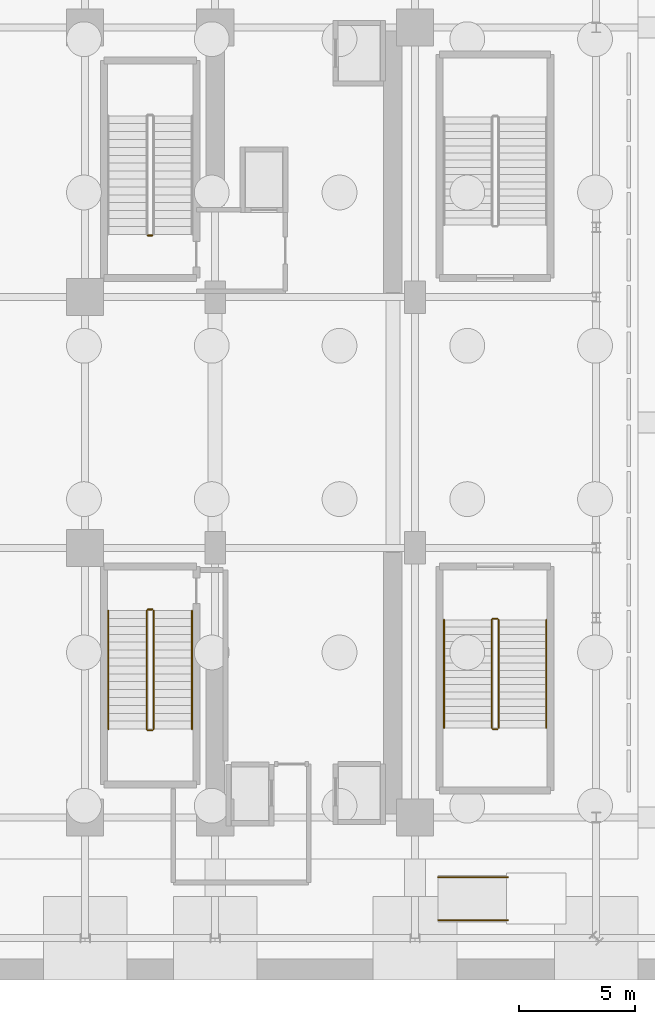
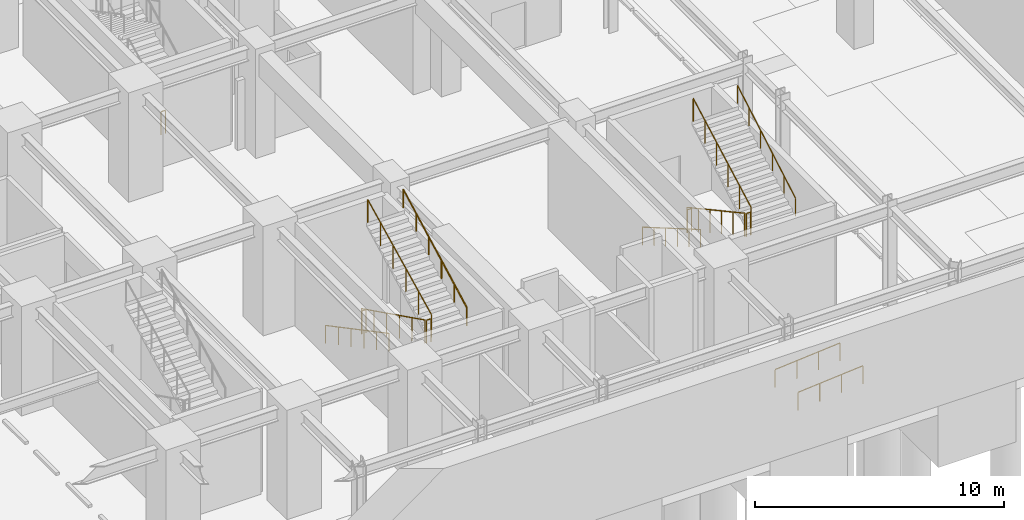
# One storey, part 11 of 14: 15 railings.
"""IFC4 building model written with IfcOpenShell, lengths in metres."""

from ifc_helpers import new_model, si_unit, direction, frame, origin, origin_2d, place, context, subcontext, project, spatial, circle, extrude, material, type_object, element, save


model = new_model("IFC4")

# Units and contexts
model_context = context("Model", 3, precision=1e-05, world=origin(), true_north=direction((0.0, 1.0)))
body_context = subcontext(model_context, "Body", "Model", "MODEL_VIEW")
ifc_project = project(units=[si_unit("LENGTHUNIT", "METRE"), si_unit("AREAUNIT", "SQUARE_METRE"), si_unit("VOLUMEUNIT", "CUBIC_METRE"), si_unit("PLANEANGLEUNIT", "RADIAN"), si_unit("MASSUNIT", "GRAM", prefix="KILO")], contexts=[model_context])

# Site, building, storey
site_placement = place(None, origin())
site = spatial("IfcSite", under=ifc_project, at=site_placement, CompositionType="ELEMENT")
building_placement = place(site_placement, origin())
building = spatial("IfcBuilding", under=site, at=building_placement, Name="Nahalor Promenade Grand Hotel", CompositionType="ELEMENT")
storey_placement = place(building_placement, frame((0.0, 0.0, -10.800048828125)))
storey = spatial("IfcBuildingStorey", under=building, at=storey_placement, Name="B02", CompositionType="ELEMENT", Elevation=-10.800048828125)

# Railings
ifc_material = material(Name="Steel S355JR", Category="steel")
railing_type_1 = type_object("IfcRailingType", Name="Steel Stair Guardrail 1150 mm", PredefinedType="GUARDRAIL", material=ifc_material)
railing_1_placement = place(storey_placement, frame((5.699951171875, 8.050048828125, 0.0)))
element("IfcRailing", 1, at=railing_1_placement, inside=storey, type_object=railing_type_1, Name="B02 ST1 stair guard 4", PredefinedType="GUARDRAIL", context=body_context, shape_type="SweptSolid", body=[
    extrude(circle(Radius=0.024048, at=origin_2d()), frame((0.0, 0.0, 1.1259765625), z_axis=(-1.0, 0.0, 0.0), x_axis=(0.0, -1.0, 0.0)), (0.0, 0.0, 1.0), 0.199951171875),
    extrude(circle(Radius=0.020996, at=origin_2d()), origin(), (0.0, 0.0, 1.0), 1.099853515625),
    extrude(circle(Radius=0.020996, at=origin_2d()), frame((-0.199951171875, 0.0, 0.0)), (0.0, 0.0, 1.0), 1.099853515625),
])
railing_2_placement = place(storey_placement, frame((5.449951171875, -8.10009765625, 0.168701171875)))
element("IfcRailing", 2, at=railing_2_placement, inside=storey, type_object=railing_type_1, Name="B02 ST2 stair guard 1", PredefinedType="GUARDRAIL", context=body_context, shape_type="SweptSolid", body=[
    extrude(circle(Radius=0.024048, at=origin_2d()), frame((0.0, 0.0, 1.1259765625), z_axis=(0.0, -0.895735491292, 0.444587370086), x_axis=(1.0, 0.0, 0.0)), (0.0, 0.0, 1.0), 5.693603515625),
    extrude(circle(Radius=0.020996, at=origin_2d()), origin(), (0.0, 0.0, 1.0), 1.099853515625),
    extrude(circle(Radius=0.020996, at=origin_2d()), frame((0.0, -1.02001953125, 0.50634765625)), (0.0, 0.0, 1.0), 1.099853515625),
    extrude(circle(Radius=0.020996, at=origin_2d()), frame((0.0, -2.0400390625, 1.012451171875)), (0.0, 0.0, 1.0), 1.099853515625),
    extrude(circle(Radius=0.020996, at=origin_2d()), frame((0.0, -3.059814453125, 1.518798828125)), (0.0, 0.0, 1.0), 1.099853515625),
    extrude(circle(Radius=0.020996, at=origin_2d()), frame((0.0, -4.079833984375, 2.02490234375)), (0.0, 0.0, 1.0), 1.099853515625),
    extrude(circle(Radius=0.020996, at=origin_2d()), frame((0.0, -5.099853515625, 2.53125)), (0.0, 0.0, 1.0), 1.099853515625),
])
railing_3_placement = place(storey_placement, frame((5.5, -13.25, 2.699951171875)))
element("IfcRailing", 3, at=railing_3_placement, inside=storey, type_object=railing_type_1, Name="B02 ST2 stair guard 2", PredefinedType="GUARDRAIL", context=body_context, shape_type="SweptSolid", body=[
    extrude(circle(Radius=0.024048, at=origin_2d()), frame((0.0, 0.0, 1.1259765625), z_axis=(1.0, 0.0, 0.0), x_axis=(0.0, 1.0, 0.0)), (0.0, 0.0, 1.0), 0.199951171875),
    extrude(circle(Radius=0.020996, at=origin_2d()), origin(), (0.0, 0.0, 1.0), 1.099853515625),
    extrude(circle(Radius=0.020996, at=origin_2d()), frame((0.199951171875, 0.0, 0.0)), (0.0, 0.0, 1.0), 1.099853515625),
])
railing_4_placement = place(storey_placement, frame((5.75, -13.199951171875, 2.868896484375)))
element("IfcRailing", 4, at=railing_4_placement, inside=storey, type_object=railing_type_1, Name="B02 ST2 stair guard 3", PredefinedType="GUARDRAIL", context=body_context, shape_type="SweptSolid", body=[
    extrude(circle(Radius=0.024048, at=origin_2d()), frame((0.0, 0.0, 1.1259765625), z_axis=(0.0, 0.895735491292, 0.444587370086), x_axis=(-1.0, 0.0, 0.0)), (0.0, 0.0, 1.0), 5.693603515625),
    extrude(circle(Radius=0.020996, at=origin_2d()), origin(), (0.0, 0.0, 1.0), 1.099853515625),
    extrude(circle(Radius=0.020996, at=origin_2d()), frame((0.0, 1.02001953125, 0.50634765625)), (0.0, 0.0, 1.0), 1.099853515625),
    extrude(circle(Radius=0.020996, at=origin_2d()), frame((0.0, 2.0400390625, 1.012451171875)), (0.0, 0.0, 1.0), 1.099853515625),
    extrude(circle(Radius=0.020996, at=origin_2d()), frame((0.0, 3.059814453125, 1.518798828125)), (0.0, 0.0, 1.0), 1.099853515625),
    extrude(circle(Radius=0.020996, at=origin_2d()), frame((0.0, 4.079833984375, 2.02490234375)), (0.0, 0.0, 1.0), 1.099853515625),
    extrude(circle(Radius=0.020996, at=origin_2d()), frame((0.0, 5.099853515625, 2.53125)), (0.0, 0.0, 1.0), 1.099853515625),
])
railing_5_placement = place(storey_placement, frame((5.5, -8.050048828125, 0.0)))
element("IfcRailing", 5, at=railing_5_placement, inside=storey, type_object=railing_type_1, Name="B02 ST2 stair guard 4", PredefinedType="GUARDRAIL", context=body_context, shape_type="SweptSolid", body=[
    extrude(circle(Radius=0.024048, at=origin_2d()), frame((0.0, 0.0, 1.1259765625), z_axis=(1.0, 0.0, 0.0), x_axis=(0.0, 1.0, 0.0)), (0.0, 0.0, 1.0), 0.199951171875),
    extrude(circle(Radius=0.020996, at=origin_2d()), origin(), (0.0, 0.0, 1.0), 1.099853515625),
    extrude(circle(Radius=0.020996, at=origin_2d()), frame((0.199951171875, 0.0, 0.0)), (0.0, 0.0, 1.0), 1.099853515625),
])
railing_6_placement = place(storey_placement, frame((20.300048828125, -8.5, 0.168701171875)))
element("IfcRailing", 6, at=railing_6_placement, inside=storey, type_object=railing_type_1, Name="B02 ST5 stair guard 1", PredefinedType="GUARDRAIL", context=body_context, shape_type="SweptSolid", body=[
    extrude(circle(Radius=0.024048, at=origin_2d()), frame((0.0, 0.0, 1.1259765625), z_axis=(0.0, -0.878297076953, 0.478115304728), x_axis=(1.0, 0.0, 0.0)), (0.0, 0.0, 1.0), 5.294189453125),
    extrude(circle(Radius=0.020996, at=origin_2d()), origin(), (0.0, 0.0, 1.0), 1.099853515625),
    extrude(circle(Radius=0.020996, at=origin_2d()), frame((0.0, -0.929931640625, 0.50634765625)), (0.0, 0.0, 1.0), 1.099853515625),
    extrude(circle(Radius=0.020996, at=origin_2d()), frame((0.0, -1.85986328125, 1.012451171875)), (0.0, 0.0, 1.0), 1.099853515625),
    extrude(circle(Radius=0.020996, at=origin_2d()), frame((0.0, -2.7900390625, 1.518798828125)), (0.0, 0.0, 1.0), 1.099853515625),
    extrude(circle(Radius=0.020996, at=origin_2d()), frame((0.0, -3.719970703125, 2.02490234375)), (0.0, 0.0, 1.0), 1.099853515625),
    extrude(circle(Radius=0.020996, at=origin_2d()), frame((0.0, -4.64990234375, 2.53125)), (0.0, 0.0, 1.0), 1.099853515625),
])
railing_7_placement = place(storey_placement, frame((20.35009765625, -13.199951171875, 2.699951171875)))
element("IfcRailing", 7, at=railing_7_placement, inside=storey, type_object=railing_type_1, Name="B02 ST5 stair guard 2", PredefinedType="GUARDRAIL", context=body_context, shape_type="SweptSolid", body=[
    extrude(circle(Radius=0.024048, at=origin_2d()), frame((0.0, 0.0, 1.1259765625), z_axis=(1.0, 0.0, 0.0), x_axis=(0.0, 1.0, 0.0)), (0.0, 0.0, 1.0), 0.199951171875),
    extrude(circle(Radius=0.020996, at=origin_2d()), origin(), (0.0, 0.0, 1.0), 1.099853515625),
    extrude(circle(Radius=0.020996, at=origin_2d()), frame((0.199951171875, 0.0, 0.0)), (0.0, 0.0, 1.0), 1.099853515625),
])
railing_8_placement = place(storey_placement, frame((20.60009765625, -13.14990234375, 2.868896484375)))
element("IfcRailing", 8, at=railing_8_placement, inside=storey, type_object=railing_type_1, Name="B02 ST5 stair guard 3", PredefinedType="GUARDRAIL", context=body_context, shape_type="SweptSolid", body=[
    extrude(circle(Radius=0.024048, at=origin_2d()), frame((0.0, 0.0, 1.1259765625), z_axis=(0.0, 0.878297076953, 0.478115304728), x_axis=(-1.0, 0.0, 0.0)), (0.0, 0.0, 1.0), 5.294189453125),
    extrude(circle(Radius=0.020996, at=origin_2d()), origin(), (0.0, 0.0, 1.0), 1.099853515625),
    extrude(circle(Radius=0.020996, at=origin_2d()), frame((0.0, 0.929931640625, 0.50634765625)), (0.0, 0.0, 1.0), 1.099853515625),
    extrude(circle(Radius=0.020996, at=origin_2d()), frame((0.0, 1.85986328125, 1.012451171875)), (0.0, 0.0, 1.0), 1.099853515625),
    extrude(circle(Radius=0.020996, at=origin_2d()), frame((0.0, 2.7900390625, 1.518798828125)), (0.0, 0.0, 1.0), 1.099853515625),
    extrude(circle(Radius=0.020996, at=origin_2d()), frame((0.0, 3.719970703125, 2.02490234375)), (0.0, 0.0, 1.0), 1.099853515625),
    extrude(circle(Radius=0.020996, at=origin_2d()), frame((0.0, 4.64990234375, 2.53125)), (0.0, 0.0, 1.0), 1.099853515625),
])
railing_9_placement = place(storey_placement, frame((20.35009765625, -8.449951171875, 0.0)))
element("IfcRailing", 9, at=railing_9_placement, inside=storey, type_object=railing_type_1, Name="B02 ST5 stair guard 4", PredefinedType="GUARDRAIL", context=body_context, shape_type="SweptSolid", body=[
    extrude(circle(Radius=0.024048, at=origin_2d()), frame((0.0, 0.0, 1.1259765625), z_axis=(1.0, 0.0, 0.0), x_axis=(0.0, 1.0, 0.0)), (0.0, 0.0, 1.0), 0.199951171875),
    extrude(circle(Radius=0.020996, at=origin_2d()), origin(), (0.0, 0.0, 1.0), 1.099853515625),
    extrude(circle(Radius=0.020996, at=origin_2d()), frame((0.199951171875, 0.0, 0.0)), (0.0, 0.0, 1.0), 1.099853515625),
])
railing_type_2 = type_object("IfcRailingType", Name="Steel Stair Handrail 900 mm", PredefinedType="HANDRAIL", material=ifc_material)
railing_10_placement = place(storey_placement, frame((3.800048828125, -8.10009765625, 0.168701171875)))
element("IfcRailing", 10, at=railing_10_placement, inside=storey, type_object=railing_type_2, Name="B02 ST2 stair handrail 1", PredefinedType="HANDRAIL", context=body_context, shape_type="SweptSolid", body=[
    extrude(circle(Radius=0.024048, at=origin_2d()), frame((0.0, 0.0, 0.8759765625), z_axis=(0.0, -0.883768362495, 0.467924653607), x_axis=(1.0, 0.0, 0.0)), (0.0, 0.0, 1.0), 5.7705078125),
    extrude(circle(Radius=0.020996, at=origin_2d()), origin(), (0.0, 0.0, 1.0), 0.849853515625),
    extrude(circle(Radius=0.020996, at=origin_2d()), frame((0.0, -1.02001953125, 0.5400390625)), (0.0, 0.0, 1.0), 0.849853515625),
    extrude(circle(Radius=0.020996, at=origin_2d()), frame((0.0, -2.0400390625, 1.080078125)), (0.0, 0.0, 1.0), 0.849853515625),
    extrude(circle(Radius=0.020996, at=origin_2d()), frame((0.0, -3.059814453125, 1.6201171875)), (0.0, 0.0, 1.0), 0.849853515625),
    extrude(circle(Radius=0.020996, at=origin_2d()), frame((0.0, -4.079833984375, 2.16015625)), (0.0, 0.0, 1.0), 0.849853515625),
    extrude(circle(Radius=0.020996, at=origin_2d()), frame((0.0, -5.099853515625, 2.7001953125)), (0.0, 0.0, 1.0), 0.849853515625),
])
railing_11_placement = place(storey_placement, frame((7.39990234375, -13.199951171875, 2.868896484375)))
element("IfcRailing", 11, at=railing_11_placement, inside=storey, type_object=railing_type_2, Name="B02 ST2 stair handrail 2", PredefinedType="HANDRAIL", context=body_context, shape_type="SweptSolid", body=[
    extrude(circle(Radius=0.024048, at=origin_2d()), frame((0.0, 0.0, 0.8759765625), z_axis=(0.0, 0.883785858079, 0.467891608238), x_axis=(-1.0, 0.0, 0.0)), (0.0, 0.0, 1.0), 5.7705078125),
    extrude(circle(Radius=0.020996, at=origin_2d()), origin(), (0.0, 0.0, 1.0), 0.849853515625),
    extrude(circle(Radius=0.020996, at=origin_2d()), frame((0.0, 1.02001953125, 0.5400390625)), (0.0, 0.0, 1.0), 0.849853515625),
    extrude(circle(Radius=0.020996, at=origin_2d()), frame((0.0, 2.0400390625, 1.080078125)), (0.0, 0.0, 1.0), 0.849853515625),
    extrude(circle(Radius=0.020996, at=origin_2d()), frame((0.0, 3.059814453125, 1.619873046875)), (0.0, 0.0, 1.0), 0.849853515625),
    extrude(circle(Radius=0.020996, at=origin_2d()), frame((0.0, 4.079833984375, 2.159912109375)), (0.0, 0.0, 1.0), 0.849853515625),
    extrude(circle(Radius=0.020996, at=origin_2d()), frame((0.0, 5.099853515625, 2.699951171875)), (0.0, 0.0, 1.0), 0.849853515625),
])
railing_12_placement = place(storey_placement, frame((18.25, -8.5, 0.168701171875)))
element("IfcRailing", 12, at=railing_12_placement, inside=storey, type_object=railing_type_2, Name="B02 ST5 stair handrail 1", PredefinedType="HANDRAIL", context=body_context, shape_type="SweptSolid", body=[
    extrude(circle(Radius=0.024048, at=origin_2d()), frame((0.0, 0.0, 0.8759765625), z_axis=(0.0, -0.864768593507, 0.502170568318), x_axis=(1.0, 0.0, 0.0)), (0.0, 0.0, 1.0), 5.376953125),
    extrude(circle(Radius=0.020996, at=origin_2d()), origin(), (0.0, 0.0, 1.0), 0.849853515625),
    extrude(circle(Radius=0.020996, at=origin_2d()), frame((0.0, -0.929931640625, 0.5400390625)), (0.0, 0.0, 1.0), 0.849853515625),
    extrude(circle(Radius=0.020996, at=origin_2d()), frame((0.0, -1.85986328125, 1.080078125)), (0.0, 0.0, 1.0), 0.849853515625),
    extrude(circle(Radius=0.020996, at=origin_2d()), frame((0.0, -2.7900390625, 1.6201171875)), (0.0, 0.0, 1.0), 0.849853515625),
    extrude(circle(Radius=0.020996, at=origin_2d()), frame((0.0, -3.719970703125, 2.16015625)), (0.0, 0.0, 1.0), 0.849853515625),
    extrude(circle(Radius=0.020996, at=origin_2d()), frame((0.0, -4.64990234375, 2.7001953125)), (0.0, 0.0, 1.0), 0.849853515625),
])
railing_13_placement = place(storey_placement, frame((22.64990234375, -13.14990234375, 2.868896484375)))
element("IfcRailing", 13, at=railing_13_placement, inside=storey, type_object=railing_type_2, Name="B02 ST5 stair handrail 2", PredefinedType="HANDRAIL", context=body_context, shape_type="SweptSolid", body=[
    extrude(circle(Radius=0.024048, at=origin_2d()), frame((0.0, 0.0, 0.8759765625), z_axis=(0.0, 0.864788310583, 0.502136612766), x_axis=(-1.0, 0.0, 0.0)), (0.0, 0.0, 1.0), 5.376953125),
    extrude(circle(Radius=0.020996, at=origin_2d()), origin(), (0.0, 0.0, 1.0), 0.849853515625),
    extrude(circle(Radius=0.020996, at=origin_2d()), frame((0.0, 0.929931640625, 0.5400390625)), (0.0, 0.0, 1.0), 0.849853515625),
    extrude(circle(Radius=0.020996, at=origin_2d()), frame((0.0, 1.85986328125, 1.080078125)), (0.0, 0.0, 1.0), 0.849853515625),
    extrude(circle(Radius=0.020996, at=origin_2d()), frame((0.0, 2.7900390625, 1.619873046875)), (0.0, 0.0, 1.0), 0.849853515625),
    extrude(circle(Radius=0.020996, at=origin_2d()), frame((0.0, 3.719970703125, 2.159912109375)), (0.0, 0.0, 1.0), 0.849853515625),
    extrude(circle(Radius=0.020996, at=origin_2d()), frame((0.0, 4.64990234375, 2.699951171875)), (0.0, 0.0, 1.0), 0.849853515625),
])
for number, where, name in (
    (14, (18.0, -21.419921875, 0.0), "RL-PED-1-L"),
    (15, (18.0, -19.580078125, 0.0), "RL-PED-1-R"),
):
    element("IfcRailing", number, at=place(storey_placement, frame(where)), inside=storey, type_object=railing_type_2, Name=name, PredefinedType="HANDRAIL", context=body_context, shape_type="SweptSolid", body=[
        extrude(circle(Radius=0.024048, at=origin_2d()), frame((0.0, 0.0, 0.8759765625), z_axis=(0.996545758245, 0.0, 0.083045479854), x_axis=(0.0, 1.0, 0.0)), (0.0, 0.0, 1.0), 3.010498046875),
        extrude(circle(Radius=0.020996, at=origin_2d()), origin(), (0.0, 0.0, 1.0), 0.849853515625),
        extrude(circle(Radius=0.020996, at=origin_2d()), frame((1.0, 0.0, 0.083251953125)), (0.0, 0.0, 1.0), 0.849853515625),
        extrude(circle(Radius=0.020996, at=origin_2d()), frame((2.0, 0.0, 0.166748046875)), (0.0, 0.0, 1.0), 0.849853515625),
        extrude(circle(Radius=0.020996, at=origin_2d()), frame((3.0, 0.0, 0.25)), (0.0, 0.0, 1.0), 0.849853515625),
    ])

save(model, "model.ifc")
